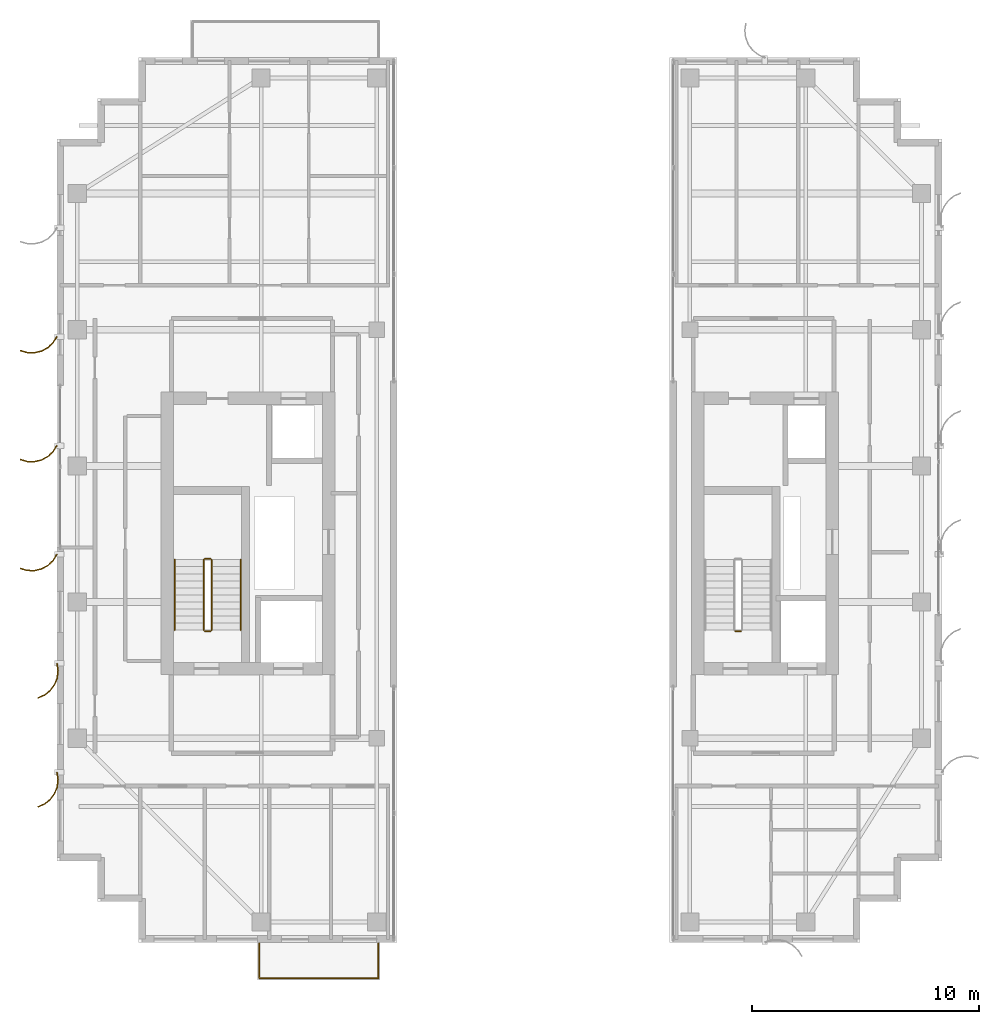
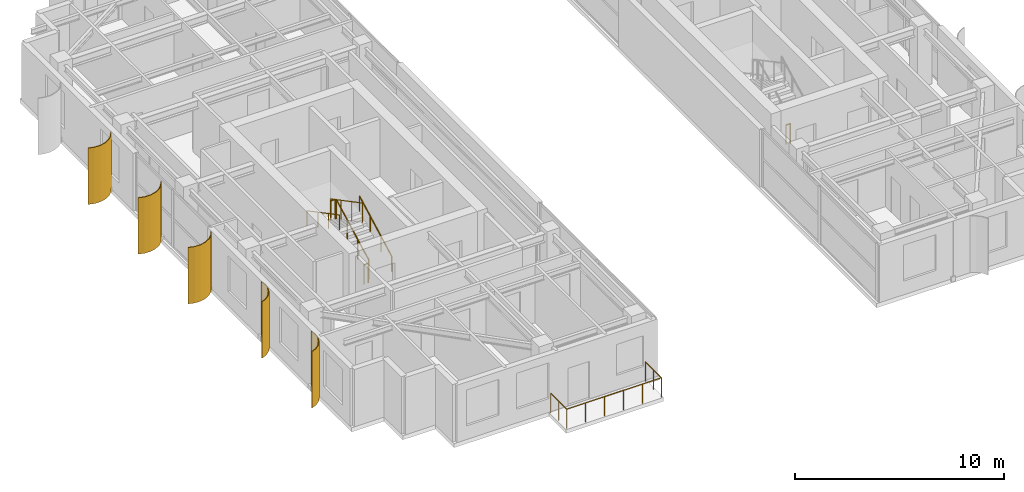
# One storey, part 21 of 23: 8 railings, 5 shading devices.
"""IFC4 building model written with IfcOpenShell, lengths in metres."""

from ifc_helpers import new_model, si_unit, direction, frame, origin, origin_2d, place, context, subcontext, project, spatial, polyline, circle, outline, extrude, source, transform, mapped, material, layer, layer_set, type_object, element, save


model = new_model("IFC4")

# Units and contexts
model_context = context("Model", 3, precision=1e-05, world=origin(), true_north=direction((0.0, 1.0)))
body_context = subcontext(model_context, "Body", "Model", "MODEL_VIEW")
ifc_project = project(units=[si_unit("LENGTHUNIT", "METRE"), si_unit("AREAUNIT", "SQUARE_METRE"), si_unit("VOLUMEUNIT", "CUBIC_METRE"), si_unit("PLANEANGLEUNIT", "RADIAN"), si_unit("MASSUNIT", "GRAM", prefix="KILO")], contexts=[model_context])

# Site, building, storey
site_placement = place(None, origin())
site = spatial("IfcSite", under=ifc_project, at=site_placement, CompositionType="ELEMENT")
building_placement = place(site_placement, origin())
building = spatial("IfcBuilding", under=site, at=building_placement, Name="Khoralis Quay Care Tower", CompositionType="ELEMENT")
storey_placement = place(building_placement, frame((0.0, 0.0, 245.699951171875)))
storey = spatial("IfcBuildingStorey", under=building, at=storey_placement, Name="L64", CompositionType="ELEMENT", Elevation=245.699951171875)

# Railings
ifc_material_1 = material(Name="Pale anodised aluminium", Category="aluminium")
railing_type_1 = type_object("IfcRailingType", Name="RL-BALUST-1150", PredefinedType="BALUSTRADE", material=ifc_material_1)
railing_1_placement = place(storey_placement, frame((11.929931640625, 2.9599609375, -0.02001953125)))
element("IfcRailing", 1, at=railing_1_placement, inside=storey, type_object=railing_type_1, Name="L64 Senior Loggia Balcony Guard", PredefinedType="BALUSTRADE", context=body_context, shape_type="SweptSolid", body=[
    extrude(circle(Radius=0.02392578125, at=origin_2d()), frame((0.0, 0.0, 1.1259765625), z_axis=(0.0, -1.0, 0.0), x_axis=(1.0, 0.0, 0.0)), (0.0, 0.0, 1.0), 1.530029296875),
    extrude(circle(Radius=0.02392578125, at=origin_2d()), frame((0.0, -1.530029296875, 1.1259765625), z_axis=(1.0, 0.0, 0.0), x_axis=(0.0, 1.0, 0.0)), (0.0, 0.0, 1.0), 5.239990234375),
    extrude(circle(Radius=0.02392578125, at=origin_2d()), frame((5.239990234375, -1.530029296875, 1.1259765625), z_axis=(0.0, 1.0, 0.0), x_axis=(-1.0, 0.0, 0.0)), (0.0, 0.0, 1.0), 1.530029296875),
    extrude(circle(Radius=0.02099609375, at=origin_2d()), origin(), (0.0, 0.0, 1.0), 1.101806640625),
    extrude(circle(Radius=0.02099609375, at=origin_2d()), frame((0.0, -0.76513671875, 0.0)), (0.0, 0.0, 1.0), 1.101806640625),
    extrude(circle(Radius=0.02099609375, at=origin_2d()), frame((0.0, -1.530029296875, 0.0)), (0.0, 0.0, 1.0), 1.101806640625),
    extrude(circle(Radius=0.02099609375, at=origin_2d()), frame((1.048095703125, -1.530029296875, 0.0)), (0.0, 0.0, 1.0), 1.101806640625),
    extrude(circle(Radius=0.02099609375, at=origin_2d()), frame((2.095947265625, -1.530029296875, 0.0)), (0.0, 0.0, 1.0), 1.101806640625),
    extrude(circle(Radius=0.02099609375, at=origin_2d()), frame((3.14404296875, -1.530029296875, 0.0)), (0.0, 0.0, 1.0), 1.101806640625),
    extrude(circle(Radius=0.02099609375, at=origin_2d()), frame((4.19189453125, -1.530029296875, 0.0)), (0.0, 0.0, 1.0), 1.101806640625),
    extrude(circle(Radius=0.02099609375, at=origin_2d()), frame((5.239990234375, -1.530029296875, 0.0)), (0.0, 0.0, 1.0), 1.101806640625),
    extrude(circle(Radius=0.02099609375, at=origin_2d()), frame((5.239990234375, -0.76513671875, 0.0)), (0.0, 0.0, 1.0), 1.101806640625),
    extrude(circle(Radius=0.02099609375, at=origin_2d()), frame((5.239990234375, 0.0, 0.0)), (0.0, 0.0, 1.0), 1.101806640625),
])
ifc_material_2 = material(Name="Brushed stainless steel", Category="steel")
railing_type_2 = type_object("IfcRailingType", Name="RL-GUARD-1150", PredefinedType="GUARDRAIL", material=ifc_material_2)
railing_2_placement = place(storey_placement, frame((9.820068359375, 16.77001953125, 0.16357421875)))
element("IfcRailing", 2, at=railing_2_placement, inside=storey, type_object=railing_type_2, Name="L64 ST-T1 stair guard 1", PredefinedType="GUARDRAIL", context=body_context, shape_type="SweptSolid", body=[
    extrude(circle(Radius=0.02392578125, at=origin_2d()), frame((0.0, 0.0, 1.1259765625), z_axis=(0.0, 0.884348015382, 0.466828220752), x_axis=(-1.0, 0.0, 0.0)), (0.0, 0.0, 1.0), 3.505615234375),
    extrude(circle(Radius=0.02099609375, at=origin_2d()), origin(), (0.0, 0.0, 1.0), 1.101806640625),
    extrude(circle(Radius=0.02099609375, at=origin_2d()), frame((0.0, 1.033447265625, 0.54541015625)), (0.0, 0.0, 1.0), 1.101806640625),
    extrude(circle(Radius=0.02099609375, at=origin_2d()), frame((0.0, 2.066650390625, 1.091064453125)), (0.0, 0.0, 1.0), 1.101806640625),
    extrude(circle(Radius=0.02099609375, at=origin_2d()), frame((0.0, 3.10009765625, 1.636474609375)), (0.0, 0.0, 1.0), 1.101806640625),
])
railing_3_placement = place(storey_placement, frame((9.77001953125, 19.919921875, 1.800048828125)))
element("IfcRailing", 3, at=railing_3_placement, inside=storey, type_object=railing_type_2, Name="L64 ST-T1 stair guard 2", PredefinedType="GUARDRAIL", context=body_context, shape_type="SweptSolid", body=[
    extrude(circle(Radius=0.02392578125, at=origin_2d()), frame((0.0, 0.0, 1.1259765625), z_axis=(-1.0, 0.0, 0.0), x_axis=(0.0, -1.0, 0.0)), (0.0, 0.0, 1.0), 0.239990234375),
    extrude(circle(Radius=0.02099609375, at=origin_2d()), origin(), (0.0, 0.0, 1.0), 1.101806640625),
    extrude(circle(Radius=0.02099609375, at=origin_2d()), frame((-0.239990234375, 0.0, 0.0)), (0.0, 0.0, 1.0), 1.101806640625),
])
railing_4_placement = place(storey_placement, frame((9.47998046875, 19.8701171875, 1.963623046875)))
element("IfcRailing", 4, at=railing_4_placement, inside=storey, type_object=railing_type_2, Name="L64 ST-T1 stair guard 3", PredefinedType="GUARDRAIL", context=body_context, shape_type="SweptSolid", body=[
    extrude(circle(Radius=0.02392578125, at=origin_2d()), frame((0.0, 0.0, 1.1259765625), z_axis=(0.0, -0.884348015382, 0.466828220752), x_axis=(1.0, 0.0, 0.0)), (0.0, 0.0, 1.0), 3.505615234375),
    extrude(circle(Radius=0.02099609375, at=origin_2d()), origin(), (0.0, 0.0, 1.0), 1.101806640625),
    extrude(circle(Radius=0.02099609375, at=origin_2d()), frame((0.0, -1.033447265625, 0.54541015625)), (0.0, 0.0, 1.0), 1.101806640625),
    extrude(circle(Radius=0.02099609375, at=origin_2d()), frame((0.0, -2.066650390625, 1.091064453125)), (0.0, 0.0, 1.0), 1.101806640625),
    extrude(circle(Radius=0.02099609375, at=origin_2d()), frame((0.0, -3.10009765625, 1.636474609375)), (0.0, 0.0, 1.0), 1.101806640625),
])
for number, where, name in (
    (5, (9.77001953125, 16.719970703125, 0.0), "L64 ST-T1 stair guard 4"),
    (6, (33.139892578125, 16.719970703125, 0.0), "L64 ST-T2 stair guard 4"),
):
    element("IfcRailing", number, at=place(storey_placement, frame(where)), inside=storey, type_object=railing_type_2, Name=name, PredefinedType="GUARDRAIL", context=body_context, shape_type="SweptSolid", body=[
        extrude(circle(Radius=0.02392578125, at=origin_2d()), frame((0.0, 0.0, 1.1259765625), z_axis=(-1.0, 0.0, 0.0), x_axis=(0.0, -1.0, 0.0)), (0.0, 0.0, 1.0), 0.239990234375),
        extrude(circle(Radius=0.02099609375, at=origin_2d()), origin(), (0.0, 0.0, 1.0), 1.101806640625),
        extrude(circle(Radius=0.02099609375, at=origin_2d()), frame((-0.239990234375, 0.0, 0.0)), (0.0, 0.0, 1.0), 1.101806640625),
    ])
railing_type_3 = type_object("IfcRailingType", Name="RL-HAND-900", PredefinedType="HANDRAIL", material=ifc_material_2)
railing_5_placement = place(storey_placement, frame((11.10009765625, 16.77001953125, 0.16357421875)))
element("IfcRailing", 7, at=railing_5_placement, inside=storey, type_object=railing_type_3, Name="L64 ST-T1 stair handrail 1", PredefinedType="HANDRAIL", context=body_context, shape_type="SweptSolid", body=[
    extrude(circle(Radius=0.02392578125, at=origin_2d()), frame((0.0, 0.0, 0.8759765625), z_axis=(0.0, 0.884348015382, 0.466828220752), x_axis=(-1.0, 0.0, 0.0)), (0.0, 0.0, 1.0), 3.505615234375),
    extrude(circle(Radius=0.02099609375, at=origin_2d()), origin(), (0.0, 0.0, 1.0), 0.851806640625),
    extrude(circle(Radius=0.02099609375, at=origin_2d()), frame((0.0, 1.033447265625, 0.54541015625)), (0.0, 0.0, 1.0), 0.851806640625),
    extrude(circle(Radius=0.02099609375, at=origin_2d()), frame((0.0, 2.066650390625, 1.091064453125)), (0.0, 0.0, 1.0), 0.851806640625),
    extrude(circle(Radius=0.02099609375, at=origin_2d()), frame((0.0, 3.10009765625, 1.636474609375)), (0.0, 0.0, 1.0), 0.851806640625),
])
railing_6_placement = place(storey_placement, frame((8.199951171875, 19.8701171875, 1.963623046875)))
element("IfcRailing", 8, at=railing_6_placement, inside=storey, type_object=railing_type_3, Name="L64 ST-T1 stair handrail 2", PredefinedType="HANDRAIL", context=body_context, shape_type="SweptSolid", body=[
    extrude(circle(Radius=0.02392578125, at=origin_2d()), frame((0.0, 0.0, 0.8759765625), z_axis=(0.0, -0.884348015382, 0.466828220752), x_axis=(1.0, 0.0, 0.0)), (0.0, 0.0, 1.0), 3.505615234375),
    extrude(circle(Radius=0.02099609375, at=origin_2d()), origin(), (0.0, 0.0, 1.0), 0.851806640625),
    extrude(circle(Radius=0.02099609375, at=origin_2d()), frame((0.0, -1.033447265625, 0.54541015625)), (0.0, 0.0, 1.0), 0.851806640625),
    extrude(circle(Radius=0.02099609375, at=origin_2d()), frame((0.0, -2.066650390625, 1.091064453125)), (0.0, 0.0, 1.0), 0.851806640625),
    extrude(circle(Radius=0.02099609375, at=origin_2d()), frame((0.0, -3.10009765625, 1.636474609375)), (0.0, 0.0, 1.0), 0.851806640625),
])

# Shading devices
ifc_material_3 = material(Name="Brushed pale anodised aluminium", Category="aluminium")
ifc_layer = layer(ifc_material_3, 0.044921875)
ifc_layer_set = layer_set([ifc_layer], Name="Brushed pale anodised aluminium")
shading_device_type = type_object("IfcShadingDeviceType", Name="SHD-FIN-1250", PredefinedType="USERDEFINED", material=ifc_layer_set)
shared_shape_1 = source(origin(), body_context, "Body", "SweptSolid", [
    extrude(outline(polyline([(0.0, 0.0), (0.17041015625, 0.2783203125), (0.4072265625, 0.5029296875), (0.694091796875, 0.658447265625), (1.01123046875, 0.734619140625), (1.33740234375, 0.72607421875), (1.650390625, 0.633544921875), (1.632080078125, 0.59228515625), (1.330322265625, 0.681640625), (1.015869140625, 0.68994140625), (0.710205078125, 0.616455078125), (0.43359375, 0.466552734375), (0.20556640625, 0.25), (0.041015625, -0.018310546875), (0.0, 0.0)])), origin(), (0.0, 0.0, 1.0), 3.300048828125),
])
for number, where, z_axis, x_axis, name in (
    (9, (3.030029296875, 29.699951171875, 0.02001953125), (0.0, 0.0, 1.0), (-1.0, 0.0, 0.0), "L64 Curved Solar Fin P1E7-02"),
    (10, (3.030029296875, 24.89990234375, 0.02001953125), (0.0, 0.0, 1.0), (-1.0, 0.0, 0.0), "L64 Curved Solar Fin P1E7-03"),
    (11, (3.030029296875, 20.10009765625, 0.02001953125), (0.0, 0.0, 1.0), (-1.0, 0.0, 0.0), "L64 Curved Solar Fin P1E7-04"),
):
    element("IfcShadingDevice", number, at=place(storey_placement, frame(where, z_axis=z_axis, x_axis=x_axis)), inside=storey, type_object=shading_device_type, Name=name, ObjectType="FIN", PredefinedType="USERDEFINED", context=body_context, shape_type="MappedRepresentation", body=[
        mapped(shared_shape_1, transform((0.0, 0.0, 0.0), scale=1.0)),
    ])
shared_shape_2 = source(origin(), body_context, "Body", "SweptSolid", [
    extrude(outline(polyline([(0.0, 0.0), (-0.04833984375, 0.32275390625), (-0.01123046875, 0.64697265625), (0.1083984375, 0.950439453125), (0.302490234375, 1.212890625), (0.557861328125, 1.416015625), (0.85693359375, 1.546142578125), (0.869384765625, 1.5029296875), (0.5810546875, 1.37744140625), (0.334716796875, 1.181640625), (0.147705078125, 0.9287109375), (0.032470703125, 0.635986328125), (-0.003173828125, 0.323486328125), (0.043212890625, 0.012451171875), (0.0, 0.0)])), origin(), (0.0, 0.0, 1.0), 3.300048828125),
])
for number, where, z_axis, x_axis, name in (
    (12, (3.030029296875, 15.300048828125, 0.02001953125), (0.0, 0.0, 1.0), (-1.0, 0.0, 0.0), "L64 Curved Solar Fin P1E7-05"),
    (13, (3.030029296875, 10.5, 0.02001953125), (0.0, 0.0, 1.0), (-1.0, 0.0, 0.0), "L64 Curved Solar Fin P1E7-06"),
):
    element("IfcShadingDevice", number, at=place(storey_placement, frame(where, z_axis=z_axis, x_axis=x_axis)), inside=storey, type_object=shading_device_type, Name=name, ObjectType="FIN", PredefinedType="USERDEFINED", context=body_context, shape_type="MappedRepresentation", body=[
        mapped(shared_shape_2, transform((0.0, 0.0, 0.0), scale=1.0)),
    ])

save(model, "model.ifc")
